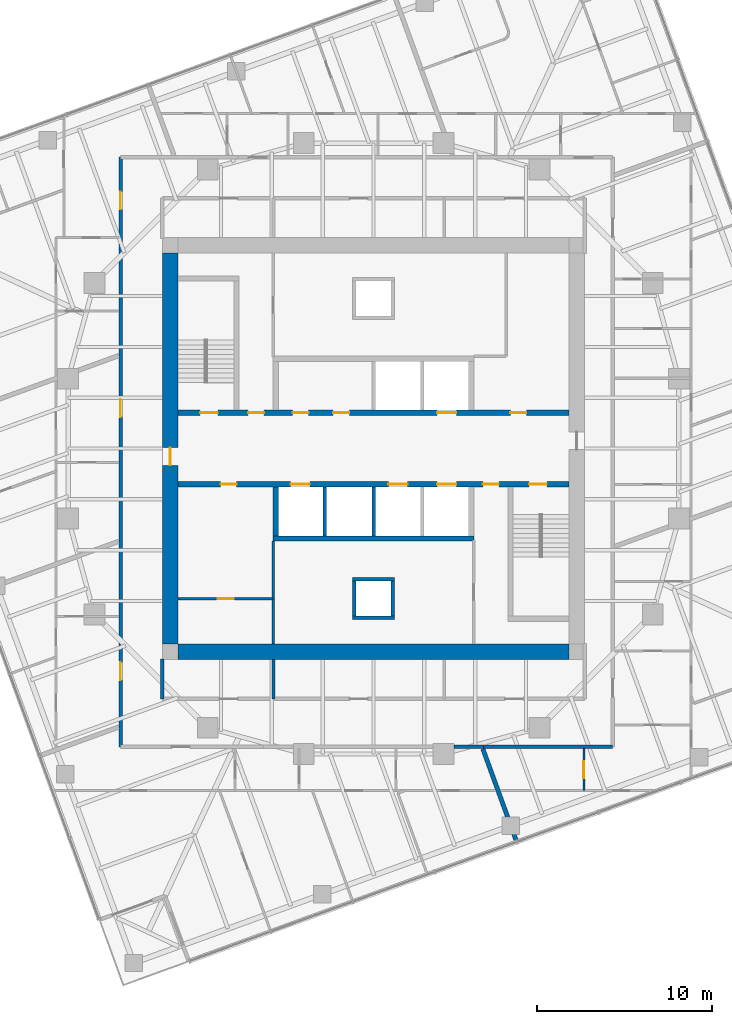
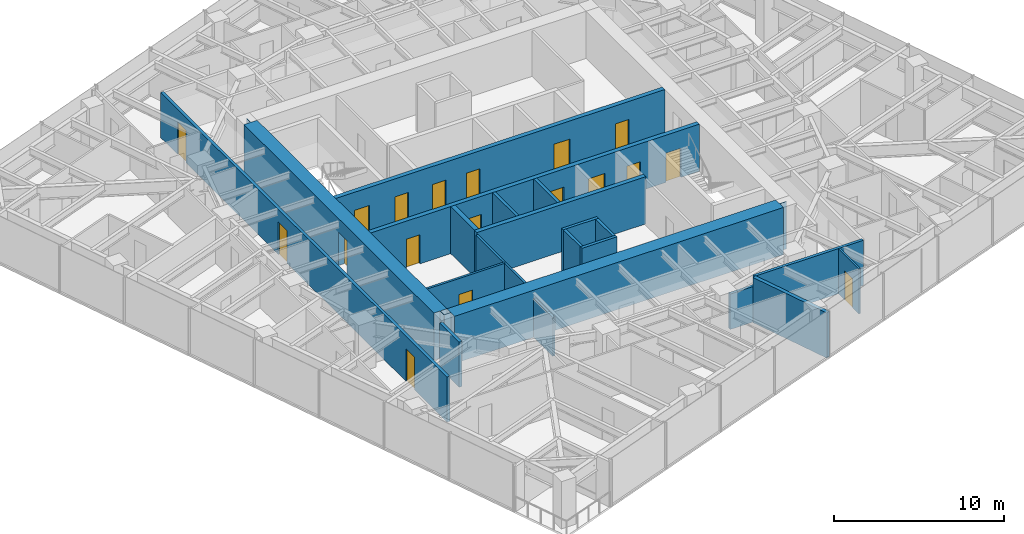
# One storey, part 8 of 13: 21 walls, 18 doors, 18 openings.
"""IFC4 building model written with IfcOpenShell, lengths in metres."""

from ifc_helpers import new_model, si_unit, direction, frame, frame_2d, origin, place, context, subcontext, project, spatial, polyline, rectangle, outline, extrude, material, layer, layer_set, type_object, element, fill, save


model = new_model("IFC4")

# Units and contexts
model_context = context("Model", 3, precision=1e-05, world=origin(), true_north=direction((0.0, 1.0)))
body_context = subcontext(model_context, "Body", "Model", "MODEL_VIEW")
ifc_project = project(units=[si_unit("LENGTHUNIT", "METRE"), si_unit("AREAUNIT", "SQUARE_METRE"), si_unit("VOLUMEUNIT", "CUBIC_METRE"), si_unit("PLANEANGLEUNIT", "RADIAN"), si_unit("MASSUNIT", "GRAM", prefix="KILO")], contexts=[model_context])

# Site, building, storey
site_placement = place(None, origin())
site = spatial("IfcSite", under=ifc_project, at=site_placement, CompositionType="ELEMENT")
building_placement = place(site_placement, origin())
building = spatial("IfcBuilding", under=site, at=building_placement, Name="Torsade Residences", CompositionType="ELEMENT")
storey_placement = place(building_placement, frame((0.0, 0.0, 164.199951171875)))
storey = spatial("IfcBuildingStorey", under=building, at=storey_placement, Name="L45", CompositionType="ELEMENT", Elevation=164.199951171875)

# Wall, openings, doors
ifc_material_1 = material(Name="Concrete 80 MPa", Category="concrete")
ifc_layer_1 = layer(ifc_material_1, 0.300048828125)
ifc_layer_set_1 = layer_set([ifc_layer_1], Name="Concrete 80 MPa")
wall_type_1 = type_object("IfcWallType", Name="CORE INTERNAL WALL 300", PredefinedType="SHEAR", material=ifc_layer_set_1)
wall_1_placement = place(storey_placement, frame((28.800048828125, 32.050048828125, 0.0), z_axis=(0.0, 0.0, 1.0), x_axis=(1.0, 0.0, 0.0)))
wall_1 = element("IfcWall", 1, at=wall_1_placement, inside=storey, type_object=wall_type_1, Name="Core wall LN L45", PredefinedType="SHEAR", context=body_context, shape_type="SweptSolid", body=[
    extrude(rectangle(XDim=22.39990234375, YDim=0.300048828125, at=frame_2d((11.199951171875, 0.0))), origin(), (0.0, 0.0, 1.0), 3.400146484375),
])
opening_1_placement = place(wall_1_placement, frame((19.0400390625, 0.0, 0.0)))
opening_1 = element("IfcOpeningElement", 2, at=opening_1_placement, cuts=wall_1, Name="Opening D06", PredefinedType="OPENING", context=body_context, shape_type="SweptSolid", body=[
    extrude(rectangle(XDim=0.919921875, YDim=2.10009765625, at=frame_2d((0.4599609375, 1.050048828125))), frame((0.0, 0.159912109375, 0.0), z_axis=(0.0, -1.0, 0.0), x_axis=(1.0, 0.0, 0.0)), (0.0, 0.0, 1.0), 0.320068359375),
])
opening_2_placement = place(wall_1_placement, frame((1.264892578125, 0.0, 0.0)))
opening_2 = element("IfcOpeningElement", 3, at=opening_2_placement, cuts=wall_1, Name="Opening D03", PredefinedType="OPENING", context=body_context, shape_type="SweptSolid", body=[
    extrude(rectangle(XDim=1.02001953125, YDim=2.10009765625, at=frame_2d((0.510009765625, 1.050048828125))), frame((0.0, 0.159912109375, 0.0), z_axis=(0.0, -1.0, 0.0), x_axis=(1.0, 0.0, 0.0)), (0.0, 0.0, 1.0), 0.320068359375),
])
opening_3_placement = place(wall_1_placement, frame((4.014892578125, 0.0, 0.0)))
opening_3 = element("IfcOpeningElement", 4, at=opening_3_placement, cuts=wall_1, Name="Opening D06", PredefinedType="OPENING", context=body_context, shape_type="SweptSolid", body=[
    extrude(rectangle(XDim=0.919921875, YDim=2.10009765625, at=frame_2d((0.4599609375, 1.050048828125))), frame((0.0, 0.159912109375, 0.0), z_axis=(0.0, -1.0, 0.0), x_axis=(1.0, 0.0, 0.0)), (0.0, 0.0, 1.0), 0.320068359375),
])
opening_4_placement = place(wall_1_placement, frame((6.56494140625, 0.0, 0.0)))
opening_4 = element("IfcOpeningElement", 5, at=opening_4_placement, cuts=wall_1, Name="Opening D06", PredefinedType="OPENING", context=body_context, shape_type="SweptSolid", body=[
    extrude(rectangle(XDim=0.919921875, YDim=2.10009765625, at=frame_2d((0.4599609375, 1.050048828125))), frame((0.0, 0.159912109375, 0.0), z_axis=(0.0, -1.0, 0.0), x_axis=(1.0, 0.0, 0.0)), (0.0, 0.0, 1.0), 0.320068359375),
])
opening_5_placement = place(wall_1_placement, frame((8.889892578125, 0.0, 0.0)))
opening_5 = element("IfcOpeningElement", 6, at=opening_5_placement, cuts=wall_1, Name="Opening D06", PredefinedType="OPENING", context=body_context, shape_type="SweptSolid", body=[
    extrude(rectangle(XDim=0.919921875, YDim=2.10009765625, at=frame_2d((0.4599609375, 1.050048828125))), frame((0.0, 0.159912109375, 0.0), z_axis=(0.0, -1.0, 0.0), x_axis=(1.0, 0.0, 0.0)), (0.0, 0.0, 1.0), 0.320068359375),
])
opening_6_placement = place(wall_1_placement, frame((14.85009765625, 0.0, 0.0)))
opening_6 = element("IfcOpeningElement", 7, at=opening_6_placement, cuts=wall_1, Name="Opening LD", PredefinedType="OPENING", context=body_context, shape_type="SweptSolid", body=[
    extrude(rectangle(XDim=1.10009765625, YDim=2.10009765625, at=frame_2d((0.550048828125, 1.050048828125))), frame((0.0, 0.159912109375, 0.0), z_axis=(0.0, -1.0, 0.0), x_axis=(1.0, 0.0, 0.0)), (0.0, 0.0, 1.0), 0.320068359375),
])
ifc_material_2 = material(Name="Steel-framed fire door", Category="steel")
door_type_1 = type_object("IfcDoorType", Name="FIRE DOOR 1020", OperationType="NOTDEFINED", PredefinedType="DOOR", material=ifc_material_2)
door_1_placement = place(opening_2_placement, origin())
door_1 = element("IfcDoor", 8, at=door_1_placement, inside=storey, type_object=door_type_1, Name="Exit door to fire-isolated stair ST1 L45", OperationType="SINGLE_SWING_RIGHT", OverallHeight=2.10009765625, OverallWidth=1.02001953125, PredefinedType="DOOR", context=body_context, shape_type="SweptSolid", body=[
    extrude(rectangle(XDim=1.02001953125, YDim=2.10009765625, at=frame_2d((0.510009765625, 1.050048828125))), frame((0.0, 0.02490234375, 0.0), z_axis=(0.0, -1.0, 0.0), x_axis=(1.0, 0.0, 0.0)), (0.0, 0.0, 1.0), 0.050048828125),
])
fill(opening_2, door_1)
ifc_material_3 = material(Name="Steel-framed fire door", Category="steel")
door_type_2 = type_object("IfcDoorType", Name="FIRE DOOR 920", OperationType="NOTDEFINED", PredefinedType="DOOR", material=ifc_material_3)
door_2_placement = place(opening_1_placement, origin())
door_2 = element("IfcDoor", 9, at=door_2_placement, inside=storey, type_object=door_type_2, Name="Door Lift lobby to Refuse room", OperationType="SINGLE_SWING_LEFT", OverallHeight=2.10009765625, OverallWidth=0.919921875, PredefinedType="DOOR", context=body_context, shape_type="SweptSolid", body=[
    extrude(rectangle(XDim=0.919921875, YDim=2.10009765625, at=frame_2d((0.4599609375, 1.050048828125))), frame((0.0, 0.02490234375, 0.0), z_axis=(0.0, -1.0, 0.0), x_axis=(1.0, 0.0, 0.0)), (0.0, 0.0, 1.0), 0.050048828125),
])
fill(opening_1, door_2)
door_3_placement = place(opening_3_placement, origin())
door_3 = element("IfcDoor", 10, at=door_3_placement, inside=storey, type_object=door_type_2, Name="Door Lift lobby to Meter store", OperationType="SINGLE_SWING_LEFT", OverallHeight=2.10009765625, OverallWidth=0.919921875, PredefinedType="DOOR", context=body_context, shape_type="SweptSolid", body=[
    extrude(rectangle(XDim=0.919921875, YDim=2.10009765625, at=frame_2d((0.4599609375, 1.050048828125))), frame((0.0, 0.02490234375, 0.0), z_axis=(0.0, -1.0, 0.0), x_axis=(1.0, 0.0, 0.0)), (0.0, 0.0, 1.0), 0.050048828125),
])
fill(opening_3, door_3)
door_4_placement = place(opening_4_placement, origin())
door_4 = element("IfcDoor", 11, at=door_4_placement, inside=storey, type_object=door_type_2, Name="Door Lift lobby to Cleaners store L45A", OperationType="SINGLE_SWING_LEFT", OverallHeight=2.10009765625, OverallWidth=0.919921875, PredefinedType="DOOR", context=body_context, shape_type="SweptSolid", body=[
    extrude(rectangle(XDim=0.919921875, YDim=2.10009765625, at=frame_2d((0.4599609375, 1.050048828125))), frame((0.0, 0.02490234375, 0.0), z_axis=(0.0, -1.0, 0.0), x_axis=(1.0, 0.0, 0.0)), (0.0, 0.0, 1.0), 0.050048828125),
])
fill(opening_4, door_4)
door_5_placement = place(opening_5_placement, origin())
door_5 = element("IfcDoor", 12, at=door_5_placement, inside=storey, type_object=door_type_2, Name="Door Lift lobby to Cleaners store L45A", OperationType="SINGLE_SWING_LEFT", OverallHeight=2.10009765625, OverallWidth=0.919921875, PredefinedType="DOOR", context=body_context, shape_type="SweptSolid", body=[
    extrude(rectangle(XDim=0.919921875, YDim=2.10009765625, at=frame_2d((0.4599609375, 1.050048828125))), frame((0.0, 0.02490234375, 0.0), z_axis=(0.0, -1.0, 0.0), x_axis=(1.0, 0.0, 0.0)), (0.0, 0.0, 1.0), 0.050048828125),
])
fill(opening_5, door_5)
ifc_material_4 = material(Name="Stainless steel lift landing door", Category="steel")
door_type_3 = type_object("IfcDoorType", Name="LIFT LANDING DOOR 1100", OperationType="SLIDING_TO_LEFT", PredefinedType="DOOR", material=ifc_material_4)
door_6_placement = place(opening_6_placement, origin())
door_6 = element("IfcDoor", 13, at=door_6_placement, inside=storey, type_object=door_type_3, Name="Lift FL1 landing door L45", OperationType="SLIDING_TO_LEFT", OverallHeight=2.10009765625, OverallWidth=1.10009765625, PredefinedType="DOOR", context=body_context, shape_type="SweptSolid", body=[
    extrude(rectangle(XDim=1.10009765625, YDim=2.10009765625, at=frame_2d((0.550048828125, 1.050048828125))), frame((0.0, 0.02490234375, 0.0), z_axis=(0.0, -1.0, 0.0), x_axis=(1.0, 0.0, 0.0)), (0.0, 0.0, 1.0), 0.050048828125),
])
fill(opening_6, door_6)

wall_2_placement = place(storey_placement, frame((51.199951171875, 27.949951171875, 0.0), z_axis=(0.0, 0.0, 1.0), x_axis=(-1.0, 0.0, 0.0)))
wall_2 = element("IfcWall", 14, at=wall_2_placement, inside=storey, type_object=wall_type_1, Name="Core wall LS L45", PredefinedType="SHEAR", context=body_context, shape_type="SweptSolid", body=[
    extrude(rectangle(XDim=22.39990234375, YDim=0.300048828125, at=frame_2d((11.199951171875, 0.0))), origin(), (0.0, 0.0, 1.0), 3.400146484375),
])
opening_7_placement = place(wall_2_placement, frame((19.0400390625, 0.0, 0.0)))
opening_7 = element("IfcOpeningElement", 15, at=opening_7_placement, cuts=wall_2, Name="Opening D06", PredefinedType="OPENING", context=body_context, shape_type="SweptSolid", body=[
    extrude(rectangle(XDim=0.919921875, YDim=2.10009765625, at=frame_2d((0.4599609375, 1.050048828125))), frame((0.0, 0.159912109375, 0.0), z_axis=(0.0, -1.0, 0.0), x_axis=(1.0, 0.0, 0.0)), (0.0, 0.0, 1.0), 0.320068359375),
])
opening_8_placement = place(wall_2_placement, frame((1.264892578125, 0.0, 0.0)))
opening_8 = element("IfcOpeningElement", 16, at=opening_8_placement, cuts=wall_2, Name="Opening D03", PredefinedType="OPENING", context=body_context, shape_type="SweptSolid", body=[
    extrude(rectangle(XDim=1.02001953125, YDim=2.10009765625, at=frame_2d((0.510009765625, 1.050048828125))), frame((0.0, 0.159912109375, 0.0), z_axis=(0.0, -1.0, 0.0), x_axis=(1.0, 0.0, 0.0)), (0.0, 0.0, 1.0), 0.320068359375),
])
opening_9_placement = place(wall_2_placement, frame((4.014892578125, 0.0, 0.0)))
opening_9 = element("IfcOpeningElement", 17, at=opening_9_placement, cuts=wall_2, Name="Opening D06", PredefinedType="OPENING", context=body_context, shape_type="SweptSolid", body=[
    extrude(rectangle(XDim=0.919921875, YDim=2.10009765625, at=frame_2d((0.4599609375, 1.050048828125))), frame((0.0, 0.159912109375, 0.0), z_axis=(0.0, -1.0, 0.0), x_axis=(1.0, 0.0, 0.0)), (0.0, 0.0, 1.0), 0.320068359375),
])
opening_10_placement = place(wall_2_placement, frame((6.449951171875, 0.0, 0.0)))
opening_10 = element("IfcOpeningElement", 18, at=opening_10_placement, cuts=wall_2, Name="Opening LD", PredefinedType="OPENING", context=body_context, shape_type="SweptSolid", body=[
    extrude(rectangle(XDim=1.10009765625, YDim=2.10009765625, at=frame_2d((0.550048828125, 1.050048828125))), frame((0.0, 0.159912109375, 0.0), z_axis=(0.0, -1.0, 0.0), x_axis=(1.0, 0.0, 0.0)), (0.0, 0.0, 1.0), 0.320068359375),
])
opening_11_placement = place(wall_2_placement, frame((9.25, 0.0, 0.0)))
opening_11 = element("IfcOpeningElement", 19, at=opening_11_placement, cuts=wall_2, Name="Opening LD", PredefinedType="OPENING", context=body_context, shape_type="SweptSolid", body=[
    extrude(rectangle(XDim=1.10009765625, YDim=2.10009765625, at=frame_2d((0.550048828125, 1.050048828125))), frame((0.0, 0.159912109375, 0.0), z_axis=(0.0, -1.0, 0.0), x_axis=(1.0, 0.0, 0.0)), (0.0, 0.0, 1.0), 0.320068359375),
])
opening_12_placement = place(wall_2_placement, frame((14.85009765625, 0.0, 0.0)))
opening_12 = element("IfcOpeningElement", 20, at=opening_12_placement, cuts=wall_2, Name="Opening LD", PredefinedType="OPENING", context=body_context, shape_type="SweptSolid", body=[
    extrude(rectangle(XDim=1.10009765625, YDim=2.10009765625, at=frame_2d((0.550048828125, 1.050048828125))), frame((0.0, 0.159912109375, 0.0), z_axis=(0.0, -1.0, 0.0), x_axis=(1.0, 0.0, 0.0)), (0.0, 0.0, 1.0), 0.320068359375),
])
door_7_placement = place(opening_8_placement, origin())
door_7 = element("IfcDoor", 21, at=door_7_placement, inside=storey, type_object=door_type_1, Name="Exit door to fire-isolated stair ST2 L45", OperationType="SINGLE_SWING_RIGHT", OverallHeight=2.10009765625, OverallWidth=1.02001953125, PredefinedType="DOOR", context=body_context, shape_type="SweptSolid", body=[
    extrude(rectangle(XDim=1.02001953125, YDim=2.10009765625, at=frame_2d((0.510009765625, 1.050048828125))), frame((0.0, 0.02490234375, 0.0), z_axis=(0.0, -1.0, 0.0), x_axis=(1.0, 0.0, 0.0)), (0.0, 0.0, 1.0), 0.050048828125),
])
fill(opening_8, door_7)
door_8_placement = place(opening_7_placement, origin())
door_8 = element("IfcDoor", 22, at=door_8_placement, inside=storey, type_object=door_type_2, Name="Door Lift lobby to Cleaner store", OperationType="SINGLE_SWING_LEFT", OverallHeight=2.10009765625, OverallWidth=0.919921875, PredefinedType="DOOR", context=body_context, shape_type="SweptSolid", body=[
    extrude(rectangle(XDim=0.919921875, YDim=2.10009765625, at=frame_2d((0.4599609375, 1.050048828125))), frame((0.0, 0.02490234375, 0.0), z_axis=(0.0, -1.0, 0.0), x_axis=(1.0, 0.0, 0.0)), (0.0, 0.0, 1.0), 0.050048828125),
])
fill(opening_7, door_8)
door_9_placement = place(opening_9_placement, origin())
door_9 = element("IfcDoor", 23, at=door_9_placement, inside=storey, type_object=door_type_2, Name="Door Lift lobby to Communications equipment store", OperationType="SINGLE_SWING_RIGHT", OverallHeight=2.10009765625, OverallWidth=0.919921875, PredefinedType="DOOR", context=body_context, shape_type="SweptSolid", body=[
    extrude(rectangle(XDim=0.919921875, YDim=2.10009765625, at=frame_2d((0.4599609375, 1.050048828125))), frame((0.0, 0.02490234375, 0.0), z_axis=(0.0, -1.0, 0.0), x_axis=(1.0, 0.0, 0.0)), (0.0, 0.0, 1.0), 0.050048828125),
])
fill(opening_9, door_9)
door_10_placement = place(opening_10_placement, origin())
door_10 = element("IfcDoor", 24, at=door_10_placement, inside=storey, type_object=door_type_3, Name="Lift LB1 landing door L45", OperationType="SLIDING_TO_LEFT", OverallHeight=2.10009765625, OverallWidth=1.10009765625, PredefinedType="DOOR", context=body_context, shape_type="SweptSolid", body=[
    extrude(rectangle(XDim=1.10009765625, YDim=2.10009765625, at=frame_2d((0.550048828125, 1.050048828125))), frame((0.0, 0.02490234375, 0.0), z_axis=(0.0, -1.0, 0.0), x_axis=(1.0, 0.0, 0.0)), (0.0, 0.0, 1.0), 0.050048828125),
])
fill(opening_10, door_10)
door_11_placement = place(opening_11_placement, origin())
door_11 = element("IfcDoor", 25, at=door_11_placement, inside=storey, type_object=door_type_3, Name="Lift LB2 landing door L45", OperationType="SLIDING_TO_LEFT", OverallHeight=2.10009765625, OverallWidth=1.10009765625, PredefinedType="DOOR", context=body_context, shape_type="SweptSolid", body=[
    extrude(rectangle(XDim=1.10009765625, YDim=2.10009765625, at=frame_2d((0.550048828125, 1.050048828125))), frame((0.0, 0.02490234375, 0.0), z_axis=(0.0, -1.0, 0.0), x_axis=(1.0, 0.0, 0.0)), (0.0, 0.0, 1.0), 0.050048828125),
])
fill(opening_11, door_11)
door_12_placement = place(opening_12_placement, origin())
door_12 = element("IfcDoor", 26, at=door_12_placement, inside=storey, type_object=door_type_3, Name="Lift FL2 landing door L45", OperationType="SLIDING_TO_LEFT", OverallHeight=2.10009765625, OverallWidth=1.10009765625, PredefinedType="DOOR", context=body_context, shape_type="SweptSolid", body=[
    extrude(rectangle(XDim=1.10009765625, YDim=2.10009765625, at=frame_2d((0.550048828125, 1.050048828125))), frame((0.0, 0.02490234375, 0.0), z_axis=(0.0, -1.0, 0.0), x_axis=(1.0, 0.0, 0.0)), (0.0, 0.0, 1.0), 0.050048828125),
])
fill(opening_12, door_12)

# Walls
wall_3_placement = place(storey_placement, frame((45.75, 24.85009765625, 0.0), z_axis=(0.0, 0.0, 1.0), x_axis=(-1.0, 0.0, 0.0)))
element("IfcWall", 27, at=wall_3_placement, inside=storey, type_object=wall_type_1, Name="Core wall BS L45", PredefinedType="SHEAR", context=body_context, shape_type="SweptSolid", body=[
    extrude(rectangle(XDim=11.5, YDim=0.300048828125, at=frame_2d((5.75, 0.0))), origin(), (0.0, 0.0, 1.0), 3.400146484375),
])
wall_4_placement = place(storey_placement, frame((34.39990234375, 27.800048828125, 0.0), z_axis=(0.0, 0.0, 1.0), x_axis=(0.0, -1.0, 0.0)))
element("IfcWall", 28, at=wall_4_placement, inside=storey, type_object=wall_type_1, Name="Core wall DS4 L45", PredefinedType="SHEAR", context=body_context, shape_type="SweptSolid", body=[
    extrude(rectangle(XDim=2.800048828125, YDim=0.300048828125, at=frame_2d((1.39990234375, 0.0))), origin(), (0.0, 0.0, 1.0), 3.400146484375),
])
ifc_material_5 = material(Name="Concrete 80 MPa", Category="concrete")
ifc_layer_2 = layer(ifc_material_5, 0.89990234375)
ifc_layer_set_2 = layer_set([ifc_layer_2], Name="Concrete 80 MPa")
wall_type_2 = type_object("IfcWallType", Name="CORE WALL 900", PredefinedType="SHEAR", material=ifc_layer_set_2)
wall_5_placement = place(storey_placement, frame((51.199951171875, 18.35009765625, 0.0), z_axis=(0.0, 0.0, 1.0), x_axis=(-1.0, 0.0, 0.0)))
element("IfcWall", 29, at=wall_5_placement, inside=storey, type_object=wall_type_2, Name="Core wall S L45", PredefinedType="SHEAR", context=body_context, shape_type="SweptSolid", body=[
    extrude(outline(polyline([(0.0, -0.449951171875), (22.39990234375, -0.449951171875), (22.39990234375, -0.02490234375), (22.849853515625, -0.02490234375), (22.849853515625, 0.02490234375), (22.39990234375, 0.02490234375), (22.39990234375, 0.449951171875), (0.0, 0.449951171875), (0.0, 0.02490234375), (-0.449951171875, 0.02490234375), (-0.449951171875, -0.02490234375), (0.0, -0.02490234375), (0.0, -0.449951171875)])), origin(), (0.0, 0.0, 1.0), 3.400146484375),
])

# Wall, opening, door
wall_6_placement = place(storey_placement, frame((28.35009765625, 41.199951171875, 0.0), z_axis=(0.0, 0.0, 1.0), x_axis=(0.0, -1.0, 0.0)))
wall_6 = element("IfcWall", 30, at=wall_6_placement, inside=storey, type_object=wall_type_2, Name="Core wall W L45", PredefinedType="SHEAR", context=body_context, shape_type="SweptSolid", body=[
    extrude(outline(polyline([(0.0, -0.449951171875), (22.39990234375, -0.449951171875), (22.39990234375, -0.02490234375), (22.849853515625, -0.02490234375), (22.849853515625, 0.02490234375), (22.39990234375, 0.02490234375), (22.39990234375, 0.449951171875), (0.0, 0.449951171875), (0.0, 0.02490234375), (-0.449951171875, 0.02490234375), (-0.449951171875, -0.02490234375), (0.0, -0.02490234375), (0.0, -0.449951171875)])), origin(), (0.0, 0.0, 1.0), 3.400146484375),
])
opening_13_placement = place(wall_6_placement, frame((11.139892578125, 0.0, 0.0)))
opening_13 = element("IfcOpeningElement", 31, at=opening_13_placement, cuts=wall_6, Name="Opening D04", PredefinedType="OPENING", context=body_context, shape_type="SweptSolid", body=[
    extrude(rectangle(XDim=1.02001953125, YDim=2.39990234375, at=frame_2d((0.510009765625, 1.199951171875))), frame((0.0, 0.4599609375, 0.0), z_axis=(0.0, -1.0, 0.0), x_axis=(1.0, 0.0, 0.0)), (0.0, 0.0, 1.0), 0.919921875),
])
ifc_material_6 = material(Name="Steel-framed fire door", Category="steel")
door_type_4 = type_object("IfcDoorType", Name="LOBBY SMOKE DOOR 1020x2400", OperationType="NOTDEFINED", PredefinedType="DOOR", material=ifc_material_6)
door_13_placement = place(opening_13_placement, origin())
door_13 = element("IfcDoor", 32, at=door_13_placement, inside=storey, type_object=door_type_4, Name="Lift lobby door W L45", OperationType="SINGLE_SWING_RIGHT", OverallHeight=2.39990234375, OverallWidth=1.02001953125, PredefinedType="DOOR", context=body_context, shape_type="SweptSolid", body=[
    extrude(rectangle(XDim=1.02001953125, YDim=2.39990234375, at=frame_2d((0.510009765625, 1.199951171875))), frame((0.0, 0.02490234375, 0.0), z_axis=(0.0, -1.0, 0.0), x_axis=(1.0, 0.0, 0.0)), (0.0, 0.0, 1.0), 0.050048828125),
])
fill(opening_13, door_13)

# Walls
ifc_material_7 = material(Name="Plasterboard on steel stud", Category="steel")
ifc_layer_3 = layer(ifc_material_7, 0.199951171875)
ifc_layer_set_3 = layer_set([ifc_layer_3], Name="Plasterboard on steel stud")
wall_type_3 = type_object("IfcWallType", Name="CORRIDOR WALL 200", PredefinedType="PARTITIONING", material=ifc_layer_set_3)
wall_7_placement = place(storey_placement, frame((44.625, 12.89990234375, 0.0), z_axis=(0.0, 0.0, 1.0), x_axis=(1.0, 0.0, 0.0)))
element("IfcWall", 33, at=wall_7_placement, inside=storey, type_object=wall_type_3, Name="Corridor wall L45", PredefinedType="PARTITIONING", context=body_context, shape_type="SweptSolid", body=[
    extrude(rectangle(XDim=1.683349609375, YDim=0.199951171875, at=frame_2d((0.841796875, 0.0))), origin(), (0.0, 0.0, 1.0), 2.550048828125),
])
wall_8_placement = place(storey_placement, frame((46.308349609375, 12.89990234375, 0.0), z_axis=(0.0, 0.0, 1.0), x_axis=(1.0, 0.0, 0.0)))
element("IfcWall", 34, at=wall_8_placement, inside=storey, type_object=wall_type_3, Name="Corridor wall L45", PredefinedType="PARTITIONING", context=body_context, shape_type="SweptSolid", body=[
    extrude(rectangle(XDim=7.3916015625, YDim=0.199951171875, at=frame_2d((3.69580078125, 0.0))), origin(), (0.0, 0.0, 1.0), 3.25),
])

# Wall, openings, doors
wall_9_placement = place(storey_placement, frame((25.5, 46.699951171875, 0.0), z_axis=(0.0, 0.0, 1.0), x_axis=(0.0, -1.0, 0.0)))
wall_9 = element("IfcWall", 35, at=wall_9_placement, inside=storey, type_object=wall_type_3, Name="Corridor wall L45", PredefinedType="PARTITIONING", context=body_context, shape_type="SweptSolid", body=[
    extrude(rectangle(XDim=33.800048828125, YDim=0.199951171875, at=frame_2d((16.89990234375, 0.0))), origin(), (0.0, 0.0, 1.0), 3.25),
])
opening_14_placement = place(wall_9_placement, frame((28.95068359375, 0.0, 0.0)))
opening_14 = element("IfcOpeningElement", 36, at=opening_14_placement, cuts=wall_9, Name="Opening D01", PredefinedType="OPENING", context=body_context, shape_type="SweptSolid", body=[
    extrude(rectangle(XDim=1.02001953125, YDim=2.340087890625, at=frame_2d((0.510009765625, 1.169921875))), frame((0.0, 0.10986328125, 0.0), z_axis=(0.0, -1.0, 0.0), x_axis=(1.0, 0.0, 0.0)), (0.0, 0.0, 1.0), 0.219970703125),
])
opening_15_placement = place(wall_9_placement, frame((13.881103515625, 0.0, 0.0)))
opening_15 = element("IfcOpeningElement", 37, at=opening_15_placement, cuts=wall_9, Name="Opening D01", PredefinedType="OPENING", context=body_context, shape_type="SweptSolid", body=[
    extrude(rectangle(XDim=1.02001953125, YDim=2.340087890625, at=frame_2d((0.510009765625, 1.169921875))), frame((0.0, 0.10986328125, 0.0), z_axis=(0.0, -1.0, 0.0), x_axis=(1.0, 0.0, 0.0)), (0.0, 0.0, 1.0), 0.219970703125),
])
opening_16_placement = place(wall_9_placement, frame((1.9697265625, 0.0, 0.0)))
opening_16 = element("IfcOpeningElement", 38, at=opening_16_placement, cuts=wall_9, Name="Opening D01", PredefinedType="OPENING", context=body_context, shape_type="SweptSolid", body=[
    extrude(rectangle(XDim=1.02001953125, YDim=2.340087890625, at=frame_2d((0.510009765625, 1.169921875))), frame((0.0, 0.10986328125, 0.0), z_axis=(0.0, -1.0, 0.0), x_axis=(1.0, 0.0, 0.0)), (0.0, 0.0, 1.0), 0.219970703125),
])
ifc_material_8 = material(Name="Solid-core timber fire door", Category="wood")
door_type_5 = type_object("IfcDoorType", Name="APARTMENT ENTRY DOOR 1020x2340", OperationType="NOTDEFINED", PredefinedType="DOOR", material=ifc_material_8)
door_14_placement = place(opening_14_placement, origin())
door_14 = element("IfcDoor", 39, at=door_14_placement, inside=storey, type_object=door_type_5, Name="Door Residential corridor to Kitchen and dining", OperationType="SINGLE_SWING_LEFT", OverallHeight=2.340087890625, OverallWidth=1.02001953125, PredefinedType="DOOR", context=body_context, shape_type="SweptSolid", body=[
    extrude(rectangle(XDim=1.02001953125, YDim=2.340087890625, at=frame_2d((0.510009765625, 1.169921875))), frame((0.0, 0.02490234375, 0.0), z_axis=(0.0, -1.0, 0.0), x_axis=(1.0, 0.0, 0.0)), (0.0, 0.0, 1.0), 0.050048828125),
])
fill(opening_14, door_14)
door_15_placement = place(opening_15_placement, origin())
door_15 = element("IfcDoor", 40, at=door_15_placement, inside=storey, type_object=door_type_5, Name="Door Residential corridor to Kitchen and dining", OperationType="SINGLE_SWING_LEFT", OverallHeight=2.340087890625, OverallWidth=1.02001953125, PredefinedType="DOOR", context=body_context, shape_type="SweptSolid", body=[
    extrude(rectangle(XDim=1.02001953125, YDim=2.340087890625, at=frame_2d((0.510009765625, 1.169921875))), frame((0.0, 0.02490234375, 0.0), z_axis=(0.0, -1.0, 0.0), x_axis=(1.0, 0.0, 0.0)), (0.0, 0.0, 1.0), 0.050048828125),
])
fill(opening_15, door_15)
door_16_placement = place(opening_16_placement, origin())
door_16 = element("IfcDoor", 41, at=door_16_placement, inside=storey, type_object=door_type_5, Name="Door Residential corridor to Kitchen and dining", OperationType="SINGLE_SWING_LEFT", OverallHeight=2.340087890625, OverallWidth=1.02001953125, PredefinedType="DOOR", context=body_context, shape_type="SweptSolid", body=[
    extrude(rectangle(XDim=1.02001953125, YDim=2.340087890625, at=frame_2d((0.510009765625, 1.169921875))), frame((0.0, 0.02490234375, 0.0), z_axis=(0.0, -1.0, 0.0), x_axis=(1.0, 0.0, 0.0)), (0.0, 0.0, 1.0), 0.050048828125),
])
fill(opening_16, door_16)

# Walls
wall_10_placement = place(storey_placement, frame((27.89990234375, 17.949951171875, 0.0), z_axis=(0.0, 0.0, 1.0), x_axis=(0.0, -1.0, 0.0)))
element("IfcWall", 42, at=wall_10_placement, inside=storey, type_object=wall_type_3, Name="Corridor wall L45", PredefinedType="PARTITIONING", context=body_context, shape_type="SweptSolid", body=[
    extrude(rectangle(XDim=2.300048828125, YDim=0.199951171875, at=frame_2d((1.14990234375, 0.0))), origin(), (0.0, 0.0, 1.0), 3.25),
])
ifc_material_9 = material(Name="Reinforced blockwork", Category="masonry")
ifc_layer_4 = layer(ifc_material_9, 0.199951171875)
ifc_layer_set_4 = layer_set([ifc_layer_4], Name="Reinforced blockwork")
wall_type_4 = type_object("IfcWallType", Name="LIFT SHAFT DIVIDING WALL 200", PredefinedType="SOLIDWALL", material=ifc_layer_set_4)
for number, where, z_axis, x_axis, name in (
    (43, (40.0, 27.800048828125, 0.0), (0.0, 0.0, 1.0), (0.0, -1.0, 0.0), "Core wall DS2 L45"),
    (44, (37.199951171875, 27.800048828125, 0.0), (0.0, 0.0, 1.0), (0.0, -1.0, 0.0), "Core wall DS3 L45"),
):
    element("IfcWall", number, at=place(storey_placement, frame(where, z_axis=z_axis, x_axis=x_axis)), inside=storey, type_object=wall_type_4, Name=name, PredefinedType="SOLIDWALL", context=body_context, shape_type="SweptSolid", body=[
        extrude(rectangle(XDim=2.800048828125, YDim=0.199951171875, at=frame_2d((1.39990234375, 0.0))), origin(), (0.0, 0.0, 1.0), 3.400146484375),
    ])

# Wall, opening, door
ifc_material_10 = material(Name="Plasterboard on steel stud", Category="steel")
ifc_layer_5 = layer(ifc_material_10, 0.1201171875)
ifc_layer_set_5 = layer_set([ifc_layer_5], Name="Plasterboard on steel stud")
wall_type_5 = type_object("IfcWallType", Name="PARTITION 120", PredefinedType="PARTITIONING", material=ifc_layer_set_5)
wall_11_placement = place(storey_placement, frame((52.05615234375, 10.39990234375, 0.0), z_axis=(0.0, 0.0, 1.0), x_axis=(0.0, 1.0, 0.0)))
wall_11 = element("IfcWall", 45, at=wall_11_placement, inside=storey, type_object=wall_type_5, Name="Partition L45", PredefinedType="PARTITIONING", context=body_context, shape_type="SweptSolid", body=[
    extrude(rectangle(XDim=2.400146484375, YDim=0.1201171875, at=frame_2d((1.2001953125, 0.0))), origin(), (0.0, 0.0, 1.0), 3.25),
])
opening_17_placement = place(wall_11_placement, frame((0.719970703125, 0.0, 0.0)))
opening_17 = element("IfcOpeningElement", 46, at=opening_17_placement, cuts=wall_11, Name="Opening D05", PredefinedType="OPENING", context=body_context, shape_type="SweptSolid", body=[
    extrude(rectangle(XDim=0.9599609375, YDim=2.10009765625, at=frame_2d((0.47998046875, 1.050048828125))), frame((0.0, 0.070068359375, 0.0), z_axis=(0.0, -1.0, 0.0), x_axis=(1.0, 0.0, 0.0)), (0.0, 0.0, 1.0), 0.14013671875),
])
ifc_material_11 = material(Name="Hollow-core timber door in a steel cavity frame", Category="steel")
door_type_6 = type_object("IfcDoorType", Name="BATHROOM CAVITY SLIDING DOOR 960", OperationType="SLIDING_TO_LEFT", PredefinedType="DOOR", material=ifc_material_11)
door_17_placement = place(opening_17_placement, origin())
door_17 = element("IfcDoor", 47, at=door_17_placement, inside=storey, type_object=door_type_6, Name="Door Scullery to Bathroom", OperationType="SLIDING_TO_LEFT", OverallHeight=2.10009765625, OverallWidth=0.9599609375, PredefinedType="DOOR", context=body_context, shape_type="SweptSolid", body=[
    extrude(rectangle(XDim=0.9599609375, YDim=2.10009765625, at=frame_2d((0.47998046875, 1.050048828125))), frame((0.0, 0.02490234375, 0.0), z_axis=(0.0, -1.0, 0.0), x_axis=(1.0, 0.0, 0.0)), (0.0, 0.0, 1.0), 0.050048828125),
])
fill(opening_17, door_17)

# Walls
ifc_material_12 = material(Name="Masonry-lined stud party wall", Category="masonry")
ifc_layer_6 = layer(ifc_material_12, 0.25)
ifc_layer_set_6 = layer_set([ifc_layer_6], Name="Masonry-lined stud party wall")
wall_type_6 = type_object("IfcWallType", Name="PARTY WALL 250", PredefinedType="PARTITIONING", material=ifc_layer_set_6)
wall_12_placement = place(storey_placement, frame((48.20849609375, 7.447265625, 0.0), z_axis=(0.0, 0.0, 1.0), x_axis=(-0.342004838392, 0.939698191185, 0.0)))
element("IfcWall", 48, at=wall_12_placement, inside=storey, type_object=wall_type_6, Name="Party wall L45", PredefinedType="PARTITIONING", context=body_context, shape_type="SweptSolid", body=[
    extrude(rectangle(XDim=5.69091796875, YDim=0.25, at=frame_2d((2.845458984375, 0.0))), origin(), (0.0, 0.0, 1.0), 3.25),
])
ifc_material_13 = material(Name="Reinforced blockwork", Category="masonry")
ifc_layer_7 = layer(ifc_material_13, 0.199951171875)
ifc_layer_set_7 = layer_set([ifc_layer_7], Name="Reinforced blockwork")
wall_type_7 = type_object("IfcWallType", Name="RISER SHAFT WALL 200", PredefinedType="SOLIDWALL", material=ifc_layer_set_7)
for number, where, z_axis, x_axis, name in (
    (49, (38.89990234375, 22.39990234375, 0.0), (0.0, 0.0, 1.0), (0.0, -1.0, 0.0), "Core wall RS2a L45"),
    (50, (41.10009765625, 22.39990234375, 0.0), (0.0, 0.0, 1.0), (0.0, -1.0, 0.0), "Core wall RS2b L45"),
):
    element("IfcWall", number, at=place(storey_placement, frame(where, z_axis=z_axis, x_axis=x_axis)), inside=storey, type_object=wall_type_7, Name=name, PredefinedType="SOLIDWALL", context=body_context, shape_type="SweptSolid", body=[
        extrude(rectangle(XDim=2.0, YDim=0.199951171875, at=frame_2d((1.0, 0.0))), origin(), (0.0, 0.0, 1.0), 3.400146484375),
    ])
for number, where, z_axis, x_axis, name in (
    (51, (38.800048828125, 22.5, 0.0), (0.0, 0.0, 1.0), (1.0, 0.0, 0.0), "Core wall RS2c L45"),
    (52, (38.800048828125, 20.300048828125, 0.0), (0.0, 0.0, 1.0), (1.0, 0.0, 0.0), "Core wall RS2d L45"),
):
    element("IfcWall", number, at=place(storey_placement, frame(where, z_axis=z_axis, x_axis=x_axis)), inside=storey, type_object=wall_type_7, Name=name, PredefinedType="SOLIDWALL", context=body_context, shape_type="SweptSolid", body=[
        extrude(rectangle(XDim=2.39990234375, YDim=0.199951171875, at=frame_2d((1.199951171875, 0.0))), origin(), (0.0, 0.0, 1.0), 3.400146484375),
    ])
ifc_material_14 = material(Name="Reinforced blockwork", Category="masonry")
ifc_layer_8 = layer(ifc_material_14, 0.14990234375)
ifc_layer_set_8 = layer_set([ifc_layer_8], Name="Reinforced blockwork")
wall_type_8 = type_object("IfcWallType", Name="SERVICE ROOM WALL 150", PredefinedType="SOLIDWALL", material=ifc_layer_set_8)
wall_13_placement = place(storey_placement, frame((34.25, 18.800048828125, 0.0), z_axis=(0.0, 0.0, 1.0), x_axis=(0.0, 1.0, 0.0)))
element("IfcWall", 53, at=wall_13_placement, inside=storey, type_object=wall_type_8, Name="Service room wall L45", PredefinedType="SOLIDWALL", context=body_context, shape_type="SweptSolid", body=[
    extrude(rectangle(XDim=5.89990234375, YDim=0.14990234375, at=frame_2d((2.949951171875, 0.0))), origin(), (0.0, 0.0, 1.0), 3.25),
])

# Wall, opening, door
wall_14_placement = place(storey_placement, frame((34.25, 21.39990234375, 0.0), z_axis=(0.0, 0.0, 1.0), x_axis=(-1.0, 0.0, 0.0)))
wall_14 = element("IfcWall", 54, at=wall_14_placement, inside=storey, type_object=wall_type_8, Name="Service room wall L45", PredefinedType="SOLIDWALL", context=body_context, shape_type="SweptSolid", body=[
    extrude(rectangle(XDim=5.449951171875, YDim=0.14990234375, at=frame_2d((2.72509765625, 0.0))), origin(), (0.0, 0.0, 1.0), 3.25),
])
opening_18_placement = place(wall_14_placement, frame((2.264892578125, 0.0, 0.0)))
opening_18 = element("IfcOpeningElement", 55, at=opening_18_placement, cuts=wall_14, Name="Opening D06", PredefinedType="OPENING", context=body_context, shape_type="SweptSolid", body=[
    extrude(rectangle(XDim=0.919921875, YDim=2.10009765625, at=frame_2d((0.4599609375, 1.050048828125))), frame((0.0, 0.0849609375, 0.0), z_axis=(0.0, -1.0, 0.0), x_axis=(1.0, 0.0, 0.0)), (0.0, 0.0, 1.0), 0.169921875),
])
door_18_placement = place(opening_18_placement, origin())
door_18 = element("IfcDoor", 56, at=door_18_placement, inside=storey, type_object=door_type_2, Name="Door Cleaner store to Building store", OperationType="SINGLE_SWING_LEFT", OverallHeight=2.10009765625, OverallWidth=0.919921875, PredefinedType="DOOR", context=body_context, shape_type="SweptSolid", body=[
    extrude(rectangle(XDim=0.919921875, YDim=2.10009765625, at=frame_2d((0.4599609375, 1.050048828125))), frame((0.0, 0.02490234375, 0.0), z_axis=(0.0, -1.0, 0.0), x_axis=(1.0, 0.0, 0.0)), (0.0, 0.0, 1.0), 0.050048828125),
])
fill(opening_18, door_18)

# Wall
wall_15_placement = place(storey_placement, frame((34.2646484375, 15.64990234375, 0.0), z_axis=(0.0, 0.0, 1.0), x_axis=(0.0, 1.0, 0.0)))
element("IfcWall", 57, at=wall_15_placement, inside=storey, type_object=wall_type_8, Name="Service room wall L45", PredefinedType="SOLIDWALL", context=body_context, shape_type="SweptSolid", body=[
    extrude(rectangle(XDim=2.25, YDim=0.14990234375, at=frame_2d((1.125, 0.0))), origin(), (0.0, 0.0, 1.0), 2.796142578125),
])

save(model, "model.ifc")
